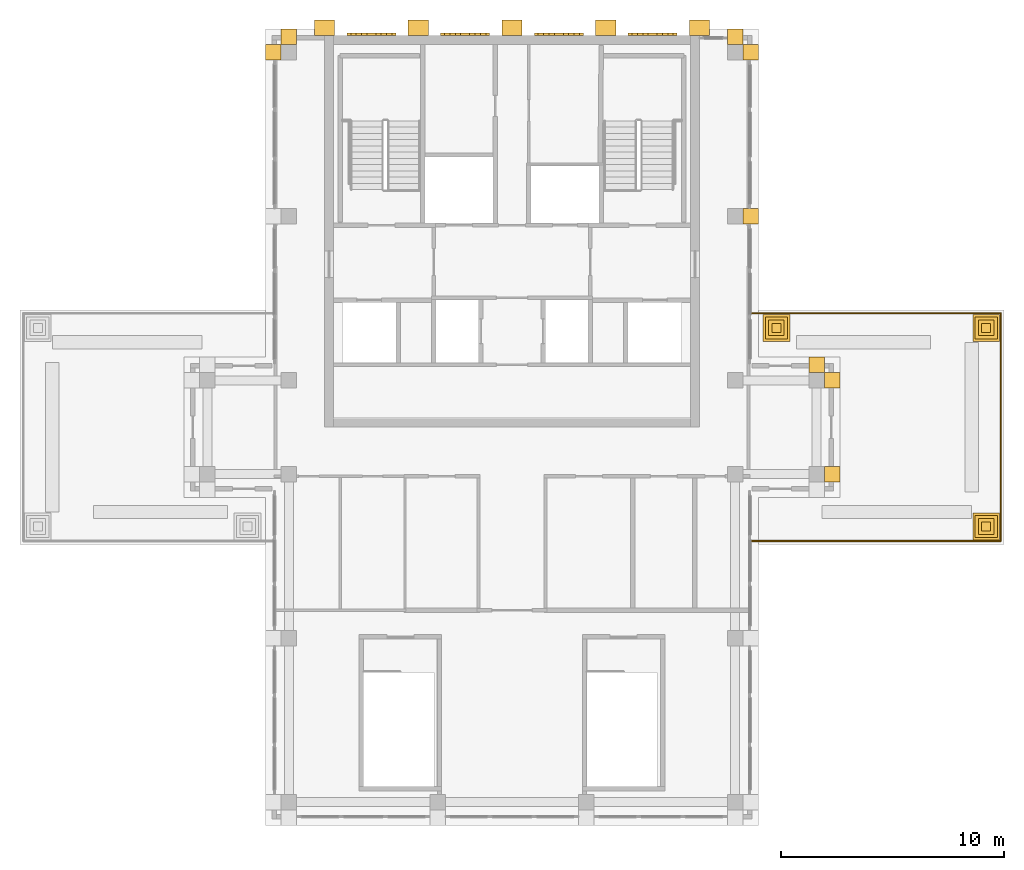
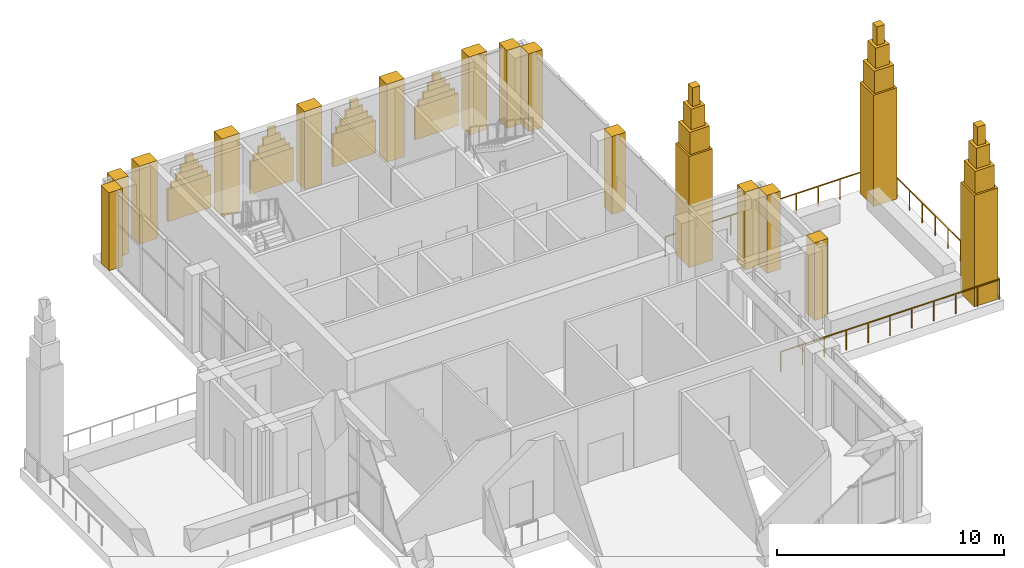
# One storey, part 12 of 12: 45 coverings, 3 railings.
"""IFC4 building model written with IfcOpenShell, lengths in metres."""

from ifc_helpers import new_model, si_unit, direction, frame, origin, origin_2d, place, context, subcontext, project, spatial, polyline, rectangle, outline, extrude, material, type_object, element, save


model = new_model("IFC4")

# Units and contexts
model_context = context("Model", 3, precision=1e-05, world=origin(), true_north=direction((0.0, 1.0)))
body_context = subcontext(model_context, "Body", "Model", "MODEL_VIEW")
ifc_project = project(units=[si_unit("LENGTHUNIT", "METRE"), si_unit("AREAUNIT", "SQUARE_METRE"), si_unit("VOLUMEUNIT", "CUBIC_METRE"), si_unit("PLANEANGLEUNIT", "RADIAN"), si_unit("MASSUNIT", "GRAM", prefix="KILO")], contexts=[model_context])

# Site, building, storey
site_placement = place(None, origin())
site = spatial("IfcSite", under=ifc_project, at=site_placement, CompositionType="ELEMENT")
building_placement = place(site_placement, origin())
building = spatial("IfcBuilding", under=site, at=building_placement, Name="Vermilion Ogive Tower", CompositionType="ELEMENT")
storey_placement = place(building_placement, frame((0.0, 0.0, 298.35009765625)))
storey = spatial("IfcBuildingStorey", under=building, at=storey_placement, Name="L77", CompositionType="ELEMENT", Elevation=298.35009765625)

# Coverings
ifc_material_1 = material(Name="Stone cladding", Category="masonry")
covering_type_1 = type_object("IfcCoveringType", Name="Core buttress pier", PredefinedType="CLADDING", material=ifc_material_1)
covering_1_placement = place(storey_placement, origin())
element("IfcCovering", 1, at=covering_1_placement, inside=storey, type_object=covering_type_1, Name="Buttress pier L77 N1", PredefinedType="CLADDING", context=body_context, shape_type="SweptSolid", body=[
    extrude(outline(polyline([(-8.85009765625, 21.75), (-7.949951171875, 21.75), (-7.949951171875, 22.449951171875), (-8.85009765625, 22.449951171875), (-8.85009765625, 21.75)])), origin(), (0.0, 0.0, 1.0), 4.199951171875),
])
covering_2_placement = place(storey_placement, origin())
element("IfcCovering", 2, at=covering_2_placement, inside=storey, type_object=covering_type_1, Name="Buttress pier L77 N2", PredefinedType="CLADDING", context=body_context, shape_type="SweptSolid", body=[
    extrude(outline(polyline([(-4.64990234375, 21.75), (-3.75, 21.75), (-3.75, 22.449951171875), (-4.64990234375, 22.449951171875), (-4.64990234375, 21.75)])), origin(), (0.0, 0.0, 1.0), 4.199951171875),
])
covering_3_placement = place(storey_placement, origin())
element("IfcCovering", 3, at=covering_3_placement, inside=storey, type_object=covering_type_1, Name="Buttress pier L77 N3", PredefinedType="CLADDING", context=body_context, shape_type="SweptSolid", body=[
    extrude(outline(polyline([(-0.449951171875, 21.75), (0.449951171875, 21.75), (0.449951171875, 22.449951171875), (-0.449951171875, 22.449951171875), (-0.449951171875, 21.75)])), origin(), (0.0, 0.0, 1.0), 4.199951171875),
])
covering_4_placement = place(storey_placement, origin())
element("IfcCovering", 4, at=covering_4_placement, inside=storey, type_object=covering_type_1, Name="Buttress pier L77 N4", PredefinedType="CLADDING", context=body_context, shape_type="SweptSolid", body=[
    extrude(outline(polyline([(3.75, 21.75), (4.64990234375, 21.75), (4.64990234375, 22.449951171875), (3.75, 22.449951171875), (3.75, 21.75)])), origin(), (0.0, 0.0, 1.0), 4.199951171875),
])
covering_5_placement = place(storey_placement, origin())
element("IfcCovering", 5, at=covering_5_placement, inside=storey, type_object=covering_type_1, Name="Buttress pier L77 N5", PredefinedType="CLADDING", context=body_context, shape_type="SweptSolid", body=[
    extrude(outline(polyline([(7.949951171875, 21.75), (8.85009765625, 21.75), (8.85009765625, 22.449951171875), (7.949951171875, 22.449951171875), (7.949951171875, 21.75)])), origin(), (0.0, 0.0, 1.0), 4.199951171875),
])
ifc_material_2 = material(Name="Stone cladding", Category="masonry")
covering_type_2 = type_object("IfcCoveringType", Name="Lancet panel", PredefinedType="CLADDING", material=ifc_material_2)
covering_6_placement = place(storey_placement, frame((0.0, 0.0, 0.699951171875)))
element("IfcCovering", 6, at=covering_6_placement, inside=storey, type_object=covering_type_2, Name="Lancet panel L77N1A", PredefinedType="CLADDING", context=body_context, shape_type="SweptSolid", body=[
    extrude(outline(polyline([(-7.39990234375, 21.75), (-5.199951171875, 21.75), (-5.199951171875, 21.8701171875), (-7.39990234375, 21.8701171875), (-7.39990234375, 21.75)])), origin(), (0.0, 0.0, 1.0), 1.75),
])
covering_7_placement = place(storey_placement, frame((0.0, 0.0, 2.449951171875)))
element("IfcCovering", 7, at=covering_7_placement, inside=storey, type_object=covering_type_2, Name="Lancet panel L77N1B", PredefinedType="CLADDING", context=body_context, shape_type="SweptSolid", body=[
    extrude(outline(polyline([(-7.22412109375, 21.75), (-5.3759765625, 21.75), (-5.3759765625, 21.8701171875), (-7.22412109375, 21.8701171875), (-7.22412109375, 21.75)])), origin(), (0.0, 0.0, 1.0), 0.300048828125),
])
covering_8_placement = place(storey_placement, frame((0.0, 0.0, 2.75)))
element("IfcCovering", 8, at=covering_8_placement, inside=storey, type_object=covering_type_2, Name="Lancet panel L77N1C", PredefinedType="CLADDING", context=body_context, shape_type="SweptSolid", body=[
    extrude(outline(polyline([(-6.98193359375, 21.75), (-5.617919921875, 21.75), (-5.617919921875, 21.8701171875), (-6.98193359375, 21.8701171875), (-6.98193359375, 21.75)])), origin(), (0.0, 0.0, 1.0), 0.349853515625),
])
covering_9_placement = place(storey_placement, frame((0.0, 0.0, 3.099853515625)))
element("IfcCovering", 9, at=covering_9_placement, inside=storey, type_object=covering_type_2, Name="Lancet panel L77N1D", PredefinedType="CLADDING", context=body_context, shape_type="SweptSolid", body=[
    extrude(outline(polyline([(-6.739990234375, 21.75), (-5.860107421875, 21.75), (-5.860107421875, 21.8701171875), (-6.739990234375, 21.8701171875), (-6.739990234375, 21.75)])), origin(), (0.0, 0.0, 1.0), 0.400146484375),
])
covering_10_placement = place(storey_placement, frame((0.0, 0.0, 3.5)))
element("IfcCovering", 10, at=covering_10_placement, inside=storey, type_object=covering_type_2, Name="Lancet panel L77N1E", PredefinedType="CLADDING", context=body_context, shape_type="SweptSolid", body=[
    extrude(outline(polyline([(-6.498046875, 21.75), (-6.10205078125, 21.75), (-6.10205078125, 21.8701171875), (-6.498046875, 21.8701171875), (-6.498046875, 21.75)])), origin(), (0.0, 0.0, 1.0), 0.449951171875),
])
covering_11_placement = place(storey_placement, frame((0.0, 0.0, 0.699951171875)))
element("IfcCovering", 11, at=covering_11_placement, inside=storey, type_object=covering_type_2, Name="Lancet panel L77N2A", PredefinedType="CLADDING", context=body_context, shape_type="SweptSolid", body=[
    extrude(outline(polyline([(-3.199951171875, 21.75), (-1.0, 21.75), (-1.0, 21.8701171875), (-3.199951171875, 21.8701171875), (-3.199951171875, 21.75)])), origin(), (0.0, 0.0, 1.0), 1.75),
])
covering_12_placement = place(storey_placement, frame((0.0, 0.0, 2.449951171875)))
element("IfcCovering", 12, at=covering_12_placement, inside=storey, type_object=covering_type_2, Name="Lancet panel L77N2B", PredefinedType="CLADDING", context=body_context, shape_type="SweptSolid", body=[
    extrude(outline(polyline([(-3.02392578125, 21.75), (-1.176025390625, 21.75), (-1.176025390625, 21.8701171875), (-3.02392578125, 21.8701171875), (-3.02392578125, 21.75)])), origin(), (0.0, 0.0, 1.0), 0.300048828125),
])
covering_13_placement = place(storey_placement, frame((0.0, 0.0, 2.75)))
element("IfcCovering", 13, at=covering_13_placement, inside=storey, type_object=covering_type_2, Name="Lancet panel L77N2C", PredefinedType="CLADDING", context=body_context, shape_type="SweptSolid", body=[
    extrude(outline(polyline([(-2.781982421875, 21.75), (-1.41796875, 21.75), (-1.41796875, 21.8701171875), (-2.781982421875, 21.8701171875), (-2.781982421875, 21.75)])), origin(), (0.0, 0.0, 1.0), 0.349853515625),
])
covering_14_placement = place(storey_placement, frame((0.0, 0.0, 3.099853515625)))
element("IfcCovering", 14, at=covering_14_placement, inside=storey, type_object=covering_type_2, Name="Lancet panel L77N2D", PredefinedType="CLADDING", context=body_context, shape_type="SweptSolid", body=[
    extrude(outline(polyline([(-2.5400390625, 21.75), (-1.659912109375, 21.75), (-1.659912109375, 21.8701171875), (-2.5400390625, 21.8701171875), (-2.5400390625, 21.75)])), origin(), (0.0, 0.0, 1.0), 0.400146484375),
])
covering_15_placement = place(storey_placement, frame((0.0, 0.0, 3.5)))
element("IfcCovering", 15, at=covering_15_placement, inside=storey, type_object=covering_type_2, Name="Lancet panel L77N2E", PredefinedType="CLADDING", context=body_context, shape_type="SweptSolid", body=[
    extrude(outline(polyline([(-2.298095703125, 21.75), (-1.902099609375, 21.75), (-1.902099609375, 21.8701171875), (-2.298095703125, 21.8701171875), (-2.298095703125, 21.75)])), origin(), (0.0, 0.0, 1.0), 0.449951171875),
])
covering_16_placement = place(storey_placement, frame((0.0, 0.0, 0.699951171875)))
element("IfcCovering", 16, at=covering_16_placement, inside=storey, type_object=covering_type_2, Name="Lancet panel L77N3A", PredefinedType="CLADDING", context=body_context, shape_type="SweptSolid", body=[
    extrude(outline(polyline([(1.0, 21.75), (3.199951171875, 21.75), (3.199951171875, 21.8701171875), (1.0, 21.8701171875), (1.0, 21.75)])), origin(), (0.0, 0.0, 1.0), 1.75),
])
covering_17_placement = place(storey_placement, frame((0.0, 0.0, 2.449951171875)))
element("IfcCovering", 17, at=covering_17_placement, inside=storey, type_object=covering_type_2, Name="Lancet panel L77N3B", PredefinedType="CLADDING", context=body_context, shape_type="SweptSolid", body=[
    extrude(outline(polyline([(1.176025390625, 21.75), (3.02392578125, 21.75), (3.02392578125, 21.8701171875), (1.176025390625, 21.8701171875), (1.176025390625, 21.75)])), origin(), (0.0, 0.0, 1.0), 0.300048828125),
])
covering_18_placement = place(storey_placement, frame((0.0, 0.0, 2.75)))
element("IfcCovering", 18, at=covering_18_placement, inside=storey, type_object=covering_type_2, Name="Lancet panel L77N3C", PredefinedType="CLADDING", context=body_context, shape_type="SweptSolid", body=[
    extrude(outline(polyline([(1.41796875, 21.75), (2.781982421875, 21.75), (2.781982421875, 21.8701171875), (1.41796875, 21.8701171875), (1.41796875, 21.75)])), origin(), (0.0, 0.0, 1.0), 0.349853515625),
])
covering_19_placement = place(storey_placement, frame((0.0, 0.0, 3.099853515625)))
element("IfcCovering", 19, at=covering_19_placement, inside=storey, type_object=covering_type_2, Name="Lancet panel L77N3D", PredefinedType="CLADDING", context=body_context, shape_type="SweptSolid", body=[
    extrude(outline(polyline([(1.659912109375, 21.75), (2.5400390625, 21.75), (2.5400390625, 21.8701171875), (1.659912109375, 21.8701171875), (1.659912109375, 21.75)])), origin(), (0.0, 0.0, 1.0), 0.400146484375),
])
covering_20_placement = place(storey_placement, frame((0.0, 0.0, 3.5)))
element("IfcCovering", 20, at=covering_20_placement, inside=storey, type_object=covering_type_2, Name="Lancet panel L77N3E", PredefinedType="CLADDING", context=body_context, shape_type="SweptSolid", body=[
    extrude(outline(polyline([(1.902099609375, 21.75), (2.298095703125, 21.75), (2.298095703125, 21.8701171875), (1.902099609375, 21.8701171875), (1.902099609375, 21.75)])), origin(), (0.0, 0.0, 1.0), 0.449951171875),
])
covering_21_placement = place(storey_placement, frame((0.0, 0.0, 0.699951171875)))
element("IfcCovering", 21, at=covering_21_placement, inside=storey, type_object=covering_type_2, Name="Lancet panel L77N4A", PredefinedType="CLADDING", context=body_context, shape_type="SweptSolid", body=[
    extrude(outline(polyline([(5.199951171875, 21.75), (7.39990234375, 21.75), (7.39990234375, 21.8701171875), (5.199951171875, 21.8701171875), (5.199951171875, 21.75)])), origin(), (0.0, 0.0, 1.0), 1.75),
])
covering_22_placement = place(storey_placement, frame((0.0, 0.0, 2.449951171875)))
element("IfcCovering", 22, at=covering_22_placement, inside=storey, type_object=covering_type_2, Name="Lancet panel L77N4B", PredefinedType="CLADDING", context=body_context, shape_type="SweptSolid", body=[
    extrude(outline(polyline([(5.3759765625, 21.75), (7.22412109375, 21.75), (7.22412109375, 21.8701171875), (5.3759765625, 21.8701171875), (5.3759765625, 21.75)])), origin(), (0.0, 0.0, 1.0), 0.300048828125),
])
covering_23_placement = place(storey_placement, frame((0.0, 0.0, 2.75)))
element("IfcCovering", 23, at=covering_23_placement, inside=storey, type_object=covering_type_2, Name="Lancet panel L77N4C", PredefinedType="CLADDING", context=body_context, shape_type="SweptSolid", body=[
    extrude(outline(polyline([(5.617919921875, 21.75), (6.98193359375, 21.75), (6.98193359375, 21.8701171875), (5.617919921875, 21.8701171875), (5.617919921875, 21.75)])), origin(), (0.0, 0.0, 1.0), 0.349853515625),
])
covering_24_placement = place(storey_placement, frame((0.0, 0.0, 3.099853515625)))
element("IfcCovering", 24, at=covering_24_placement, inside=storey, type_object=covering_type_2, Name="Lancet panel L77N4D", PredefinedType="CLADDING", context=body_context, shape_type="SweptSolid", body=[
    extrude(outline(polyline([(5.860107421875, 21.75), (6.739990234375, 21.75), (6.739990234375, 21.8701171875), (5.860107421875, 21.8701171875), (5.860107421875, 21.75)])), origin(), (0.0, 0.0, 1.0), 0.400146484375),
])
covering_25_placement = place(storey_placement, frame((0.0, 0.0, 3.5)))
element("IfcCovering", 25, at=covering_25_placement, inside=storey, type_object=covering_type_2, Name="Lancet panel L77N4E", PredefinedType="CLADDING", context=body_context, shape_type="SweptSolid", body=[
    extrude(outline(polyline([(6.10205078125, 21.75), (6.498046875, 21.75), (6.498046875, 21.8701171875), (6.10205078125, 21.8701171875), (6.10205078125, 21.75)])), origin(), (0.0, 0.0, 1.0), 0.449951171875),
])
ifc_material_3 = material(Name="Stone cladding", Category="masonry")
covering_type_3 = type_object("IfcCoveringType", Name="Stone pier", PredefinedType="CLADDING", material=ifc_material_3)
covering_26_placement = place(storey_placement, origin())
element("IfcCovering", 26, at=covering_26_placement, inside=storey, type_object=covering_type_3, Name="Stone pier P+0100+136", PredefinedType="CLADDING", context=body_context, shape_type="SweptSolid", body=[
    extrude(outline(polyline([(11.050048828125, 14.0), (11.050048828125, 13.300048828125), (10.35009765625, 13.300048828125), (10.35009765625, 14.0), (11.050048828125, 14.0)])), origin(), (0.0, 0.0, 1.0), 4.199951171875),
])
covering_27_placement = place(storey_placement, origin())
element("IfcCovering", 27, at=covering_27_placement, inside=storey, type_object=covering_type_3, Name="Stone pier P+0100+210X4", PredefinedType="CLADDING", context=body_context, shape_type="SweptSolid", body=[
    extrude(outline(polyline([(11.050048828125, 21.35009765625), (11.050048828125, 20.64990234375), (10.35009765625, 20.64990234375), (10.35009765625, 21.35009765625), (11.050048828125, 21.35009765625)])), origin(), (0.0, 0.0, 1.0), 4.199951171875),
])
covering_28_placement = place(storey_placement, origin())
element("IfcCovering", 28, at=covering_28_placement, inside=storey, type_object=covering_type_3, Name="Stone pier P+0100+210N1", PredefinedType="CLADDING", context=body_context, shape_type="SweptSolid", body=[
    extrude(outline(polyline([(10.35009765625, 22.050048828125), (10.35009765625, 21.35009765625), (9.64990234375, 21.35009765625), (9.64990234375, 22.050048828125), (10.35009765625, 22.050048828125)])), origin(), (0.0, 0.0, 1.0), 4.199951171875),
])
covering_29_placement = place(storey_placement, origin())
element("IfcCovering", 29, at=covering_29_placement, inside=storey, type_object=covering_type_3, Name="Stone pier P+0136+021E", PredefinedType="CLADDING", context=body_context, shape_type="SweptSolid", body=[
    extrude(outline(polyline([(14.699951171875, 1.75), (14.0, 1.75), (14.0, 1.75), (14.0, 2.449951171875), (14.699951171875, 2.449951171875), (14.699951171875, 1.75)])), origin(), (0.0, 0.0, 1.0), 4.199951171875),
])
covering_30_placement = place(storey_placement, origin())
element("IfcCovering", 30, at=covering_30_placement, inside=storey, type_object=covering_type_3, Name="Stone pier P+0136+063E", PredefinedType="CLADDING", context=body_context, shape_type="SweptSolid", body=[
    extrude(outline(polyline([(14.0, 6.64990234375), (14.699951171875, 6.64990234375), (14.699951171875, 5.949951171875), (14.0, 5.949951171875), (14.0, 5.949951171875), (14.0, 6.64990234375)])), origin(), (0.0, 0.0, 1.0), 4.199951171875),
])
covering_31_placement = place(storey_placement, origin())
element("IfcCovering", 31, at=covering_31_placement, inside=storey, type_object=covering_type_3, Name="Stone pier P+0136+063X3", PredefinedType="CLADDING", context=body_context, shape_type="SweptSolid", body=[
    extrude(outline(polyline([(14.0, 7.35009765625), (14.0, 6.64990234375), (13.300048828125, 6.64990234375), (13.300048828125, 7.35009765625), (14.0, 7.35009765625)])), origin(), (0.0, 0.0, 1.0), 4.199951171875),
])
covering_32_placement = place(storey_placement, origin())
element("IfcCovering", 32, at=covering_32_placement, inside=storey, type_object=covering_type_3, Name="Stone pier P-0100+210N2", PredefinedType="CLADDING", context=body_context, shape_type="SweptSolid", body=[
    extrude(outline(polyline([(-10.35009765625, 21.35009765625), (-10.35009765625, 22.050048828125), (-9.64990234375, 22.050048828125), (-9.64990234375, 21.35009765625), (-9.64990234375, 21.35009765625), (-10.35009765625, 21.35009765625)])), origin(), (0.0, 0.0, 1.0), 4.199951171875),
])
covering_33_placement = place(storey_placement, origin())
element("IfcCovering", 33, at=covering_33_placement, inside=storey, type_object=covering_type_3, Name="Stone pier P-0100+210X5", PredefinedType="CLADDING", context=body_context, shape_type="SweptSolid", body=[
    extrude(outline(polyline([(-11.050048828125, 21.35009765625), (-10.35009765625, 21.35009765625), (-10.35009765625, 20.64990234375), (-11.050048828125, 20.64990234375), (-11.050048828125, 21.35009765625)])), origin(), (0.0, 0.0, 1.0), 4.199951171875),
])
ifc_material_4 = material(Name="Stone cladding", Category="masonry")
covering_type_4 = type_object("IfcCoveringType", Name="Stone pinnacle", PredefinedType="CLADDING", material=ifc_material_4)
covering_34_placement = place(storey_placement, origin())
element("IfcCovering", 34, at=covering_34_placement, inside=storey, type_object=covering_type_4, Name="Stone pinnacle L772111A", PredefinedType="CLADDING", context=body_context, shape_type="SweptSolid", body=[
    extrude(outline(polyline([(20.64990234375, 8.050048828125), (21.85009765625, 8.050048828125), (21.85009765625, 9.25), (20.64990234375, 9.25), (20.64990234375, 8.050048828125)])), origin(), (0.0, 0.0, 1.0), 6.0),
])
covering_35_placement = place(storey_placement, frame((0.0, 0.0, 6.0)))
element("IfcCovering", 35, at=covering_35_placement, inside=storey, type_object=covering_type_4, Name="Stone pinnacle L772111B", PredefinedType="CLADDING", context=body_context, shape_type="SweptSolid", body=[
    extrude(outline(polyline([(20.75, 8.14990234375), (21.75, 8.14990234375), (21.75, 9.14990234375), (20.75, 9.14990234375), (20.75, 8.14990234375)])), origin(), (0.0, 0.0, 1.0), 1.199951171875),
])
covering_36_placement = place(storey_placement, frame((0.0, 0.0, 7.199951171875)))
element("IfcCovering", 36, at=covering_36_placement, inside=storey, type_object=covering_type_4, Name="Stone pinnacle L772111C", PredefinedType="CLADDING", context=body_context, shape_type="SweptSolid", body=[
    extrude(outline(polyline([(20.89990234375, 8.300048828125), (21.60009765625, 8.300048828125), (21.60009765625, 9.0), (20.89990234375, 9.0), (20.89990234375, 8.300048828125)])), origin(), (0.0, 0.0, 1.0), 1.099853515625),
])
covering_37_placement = place(storey_placement, frame((0.0, 0.0, 8.2998046875)))
element("IfcCovering", 37, at=covering_37_placement, inside=storey, type_object=covering_type_4, Name="Stone pinnacle L772111D", PredefinedType="CLADDING", context=body_context, shape_type="SweptSolid", body=[
    extrude(outline(polyline([(21.050048828125, 8.449951171875), (21.449951171875, 8.449951171875), (21.449951171875, 8.85009765625), (21.050048828125, 8.85009765625), (21.050048828125, 8.449951171875)])), origin(), (0.0, 0.0, 1.0), 1.0),
])
covering_38_placement = place(storey_placement, origin())
element("IfcCovering", 38, at=covering_38_placement, inside=storey, type_object=covering_type_4, Name="Stone pinnacle L772121A", PredefinedType="CLADDING", context=body_context, shape_type="SweptSolid", body=[
    extrude(outline(polyline([(20.64990234375, -0.85009765625), (21.85009765625, -0.85009765625), (21.85009765625, 0.35009765625), (20.64990234375, 0.35009765625), (20.64990234375, -0.85009765625)])), origin(), (0.0, 0.0, 1.0), 6.0),
])
covering_39_placement = place(storey_placement, frame((0.0, 0.0, 6.0)))
element("IfcCovering", 39, at=covering_39_placement, inside=storey, type_object=covering_type_4, Name="Stone pinnacle L772121B", PredefinedType="CLADDING", context=body_context, shape_type="SweptSolid", body=[
    extrude(outline(polyline([(20.75, -0.75), (21.75, -0.75), (21.75, 0.25), (20.75, 0.25), (20.75, -0.75)])), origin(), (0.0, 0.0, 1.0), 1.199951171875),
])
covering_40_placement = place(storey_placement, frame((0.0, 0.0, 7.199951171875)))
element("IfcCovering", 40, at=covering_40_placement, inside=storey, type_object=covering_type_4, Name="Stone pinnacle L772121C", PredefinedType="CLADDING", context=body_context, shape_type="SweptSolid", body=[
    extrude(outline(polyline([(20.89990234375, -0.60009765625), (21.60009765625, -0.60009765625), (21.60009765625, 0.10009765625), (20.89990234375, 0.10009765625), (20.89990234375, -0.60009765625)])), origin(), (0.0, 0.0, 1.0), 1.099853515625),
])
covering_41_placement = place(storey_placement, frame((0.0, 0.0, 8.2998046875)))
element("IfcCovering", 41, at=covering_41_placement, inside=storey, type_object=covering_type_4, Name="Stone pinnacle L772121D", PredefinedType="CLADDING", context=body_context, shape_type="SweptSolid", body=[
    extrude(outline(polyline([(21.050048828125, -0.449951171875), (21.449951171875, -0.449951171875), (21.449951171875, -0.050048828125), (21.050048828125, -0.050048828125), (21.050048828125, -0.449951171875)])), origin(), (0.0, 0.0, 1.0), 1.0),
])
covering_42_placement = place(storey_placement, origin())
element("IfcCovering", 42, at=covering_42_placement, inside=storey, type_object=covering_type_4, Name="Stone pinnacle L772181A", PredefinedType="CLADDING", context=body_context, shape_type="SweptSolid", body=[
    extrude(outline(polyline([(11.25, 8.050048828125), (12.449951171875, 8.050048828125), (12.449951171875, 9.25), (11.25, 9.25), (11.25, 8.050048828125)])), origin(), (0.0, 0.0, 1.0), 6.0),
])
covering_43_placement = place(storey_placement, frame((0.0, 0.0, 6.0)))
element("IfcCovering", 43, at=covering_43_placement, inside=storey, type_object=covering_type_4, Name="Stone pinnacle L772181B", PredefinedType="CLADDING", context=body_context, shape_type="SweptSolid", body=[
    extrude(outline(polyline([(11.35009765625, 8.14990234375), (12.35009765625, 8.14990234375), (12.35009765625, 9.14990234375), (11.35009765625, 9.14990234375), (11.35009765625, 8.14990234375)])), origin(), (0.0, 0.0, 1.0), 1.199951171875),
])
covering_44_placement = place(storey_placement, frame((0.0, 0.0, 7.199951171875)))
element("IfcCovering", 44, at=covering_44_placement, inside=storey, type_object=covering_type_4, Name="Stone pinnacle L772181C", PredefinedType="CLADDING", context=body_context, shape_type="SweptSolid", body=[
    extrude(outline(polyline([(11.5, 8.300048828125), (12.199951171875, 8.300048828125), (12.199951171875, 9.0), (11.5, 9.0), (11.5, 8.300048828125)])), origin(), (0.0, 0.0, 1.0), 1.099853515625),
])
covering_45_placement = place(storey_placement, frame((0.0, 0.0, 8.2998046875)))
element("IfcCovering", 45, at=covering_45_placement, inside=storey, type_object=covering_type_4, Name="Stone pinnacle L772181D", PredefinedType="CLADDING", context=body_context, shape_type="SweptSolid", body=[
    extrude(outline(polyline([(11.64990234375, 8.449951171875), (12.050048828125, 8.449951171875), (12.050048828125, 8.85009765625), (11.64990234375, 8.85009765625), (11.64990234375, 8.449951171875)])), origin(), (0.0, 0.0, 1.0), 1.0),
])

# Railings
ifc_material_5 = material(Name="Stainless steel and glass", Category="steel")
railing_type = type_object("IfcRailingType", Name="Terrace guard", PredefinedType="GUARDRAIL", material=ifc_material_5)
railing_1_placement = place(storey_placement, frame((10.75, 9.300048828125, 0.0)))
element("IfcRailing", 46, at=railing_1_placement, inside=storey, type_object=railing_type, Name="Terrace guard 2.1", PredefinedType="GUARDRAIL", context=body_context, shape_type="SweptSolid", body=[
    extrude(rectangle(XDim=0.048095703125, YDim=0.048095703125, at=origin_2d()), frame((0.0, 0.0, 1.076171875), z_axis=(1.0, 0.0, 0.0), x_axis=(0.0, 1.0, 0.0)), (0.0, 0.0, 1.0), 11.14990234375),
    extrude(rectangle(XDim=0.0419921875, YDim=0.0419921875, at=origin_2d()), origin(), (0.0, 0.0, 1.0), 1.052001953125),
    extrude(rectangle(XDim=0.0419921875, YDim=0.0419921875, at=origin_2d()), frame((1.114990234375, 0.0, 0.0)), (0.0, 0.0, 1.0), 1.052001953125),
    extrude(rectangle(XDim=0.0419921875, YDim=0.0419921875, at=origin_2d()), frame((2.22998046875, 0.0, 0.0)), (0.0, 0.0, 1.0), 1.052001953125),
    extrude(rectangle(XDim=0.0419921875, YDim=0.0419921875, at=origin_2d()), frame((3.344970703125, 0.0, 0.0)), (0.0, 0.0, 1.0), 1.052001953125),
    extrude(rectangle(XDim=0.0419921875, YDim=0.0419921875, at=origin_2d()), frame((4.4599609375, 0.0, 0.0)), (0.0, 0.0, 1.0), 1.052001953125),
    extrude(rectangle(XDim=0.0419921875, YDim=0.0419921875, at=origin_2d()), frame((5.574951171875, 0.0, 0.0)), (0.0, 0.0, 1.0), 1.052001953125),
    extrude(rectangle(XDim=0.0419921875, YDim=0.0419921875, at=origin_2d()), frame((6.68994140625, 0.0, 0.0)), (0.0, 0.0, 1.0), 1.052001953125),
    extrude(rectangle(XDim=0.0419921875, YDim=0.0419921875, at=origin_2d()), frame((7.804931640625, 0.0, 0.0)), (0.0, 0.0, 1.0), 1.052001953125),
    extrude(rectangle(XDim=0.0419921875, YDim=0.0419921875, at=origin_2d()), frame((8.919921875, 0.0, 0.0)), (0.0, 0.0, 1.0), 1.052001953125),
    extrude(rectangle(XDim=0.0419921875, YDim=0.0419921875, at=origin_2d()), frame((10.034912109375, 0.0, 0.0)), (0.0, 0.0, 1.0), 1.052001953125),
    extrude(rectangle(XDim=0.0419921875, YDim=0.0419921875, at=origin_2d()), frame((11.14990234375, 0.0, 0.0)), (0.0, 0.0, 1.0), 1.052001953125),
])
railing_2_placement = place(storey_placement, frame((21.89990234375, 9.300048828125, 0.0)))
element("IfcRailing", 47, at=railing_2_placement, inside=storey, type_object=railing_type, Name="Terrace guard 2.1.2", PredefinedType="GUARDRAIL", context=body_context, shape_type="SweptSolid", body=[
    extrude(rectangle(XDim=0.048095703125, YDim=0.048095703125, at=origin_2d()), frame((0.0, 0.0, 1.076171875), z_axis=(0.0, -1.0, 0.0), x_axis=(1.0, 0.0, 0.0)), (0.0, 0.0, 1.0), 10.199951171875),
    extrude(rectangle(XDim=0.0419921875, YDim=0.0419921875, at=origin_2d()), origin(), (0.0, 0.0, 1.0), 1.052001953125),
    extrude(rectangle(XDim=0.0419921875, YDim=0.0419921875, at=origin_2d()), frame((0.0, -1.13330078125, 0.0)), (0.0, 0.0, 1.0), 1.052001953125),
    extrude(rectangle(XDim=0.0419921875, YDim=0.0419921875, at=origin_2d()), frame((0.0, -2.2666015625, 0.0)), (0.0, 0.0, 1.0), 1.052001953125),
    extrude(rectangle(XDim=0.0419921875, YDim=0.0419921875, at=origin_2d()), frame((0.0, -3.39990234375, 0.0)), (0.0, 0.0, 1.0), 1.052001953125),
    extrude(rectangle(XDim=0.0419921875, YDim=0.0419921875, at=origin_2d()), frame((0.0, -4.533203125, 0.0)), (0.0, 0.0, 1.0), 1.052001953125),
    extrude(rectangle(XDim=0.0419921875, YDim=0.0419921875, at=origin_2d()), frame((0.0, -5.666748046875, 0.0)), (0.0, 0.0, 1.0), 1.052001953125),
    extrude(rectangle(XDim=0.0419921875, YDim=0.0419921875, at=origin_2d()), frame((0.0, -6.800048828125, 0.0)), (0.0, 0.0, 1.0), 1.052001953125),
    extrude(rectangle(XDim=0.0419921875, YDim=0.0419921875, at=origin_2d()), frame((0.0, -7.933349609375, 0.0)), (0.0, 0.0, 1.0), 1.052001953125),
    extrude(rectangle(XDim=0.0419921875, YDim=0.0419921875, at=origin_2d()), frame((0.0, -9.066650390625, 0.0)), (0.0, 0.0, 1.0), 1.052001953125),
    extrude(rectangle(XDim=0.0419921875, YDim=0.0419921875, at=origin_2d()), frame((0.0, -10.199951171875, 0.0)), (0.0, 0.0, 1.0), 1.052001953125),
])
railing_3_placement = place(storey_placement, frame((21.89990234375, -0.89990234375, 0.0)))
element("IfcRailing", 48, at=railing_3_placement, inside=storey, type_object=railing_type, Name="Terrace guard 2.1.3", PredefinedType="GUARDRAIL", context=body_context, shape_type="SweptSolid", body=[
    extrude(rectangle(XDim=0.048095703125, YDim=0.048095703125, at=origin_2d()), frame((0.0, 0.0, 1.076171875), z_axis=(-1.0, 0.0, 0.0), x_axis=(0.0, -1.0, 0.0)), (0.0, 0.0, 1.0), 11.14990234375),
    extrude(rectangle(XDim=0.0419921875, YDim=0.0419921875, at=origin_2d()), origin(), (0.0, 0.0, 1.0), 1.052001953125),
    extrude(rectangle(XDim=0.0419921875, YDim=0.0419921875, at=origin_2d()), frame((-1.114990234375, 0.0, 0.0)), (0.0, 0.0, 1.0), 1.052001953125),
    extrude(rectangle(XDim=0.0419921875, YDim=0.0419921875, at=origin_2d()), frame((-2.22998046875, 0.0, 0.0)), (0.0, 0.0, 1.0), 1.052001953125),
    extrude(rectangle(XDim=0.0419921875, YDim=0.0419921875, at=origin_2d()), frame((-3.344970703125, 0.0, 0.0)), (0.0, 0.0, 1.0), 1.052001953125),
    extrude(rectangle(XDim=0.0419921875, YDim=0.0419921875, at=origin_2d()), frame((-4.4599609375, 0.0, 0.0)), (0.0, 0.0, 1.0), 1.052001953125),
    extrude(rectangle(XDim=0.0419921875, YDim=0.0419921875, at=origin_2d()), frame((-5.574951171875, 0.0, 0.0)), (0.0, 0.0, 1.0), 1.052001953125),
    extrude(rectangle(XDim=0.0419921875, YDim=0.0419921875, at=origin_2d()), frame((-6.68994140625, 0.0, 0.0)), (0.0, 0.0, 1.0), 1.052001953125),
    extrude(rectangle(XDim=0.0419921875, YDim=0.0419921875, at=origin_2d()), frame((-7.804931640625, 0.0, 0.0)), (0.0, 0.0, 1.0), 1.052001953125),
    extrude(rectangle(XDim=0.0419921875, YDim=0.0419921875, at=origin_2d()), frame((-8.919921875, 0.0, 0.0)), (0.0, 0.0, 1.0), 1.052001953125),
    extrude(rectangle(XDim=0.0419921875, YDim=0.0419921875, at=origin_2d()), frame((-10.034912109375, 0.0, 0.0)), (0.0, 0.0, 1.0), 1.052001953125),
    extrude(rectangle(XDim=0.0419921875, YDim=0.0419921875, at=origin_2d()), frame((-11.14990234375, 0.0, 0.0)), (0.0, 0.0, 1.0), 1.052001953125),
])

save(model, "model.ifc")
